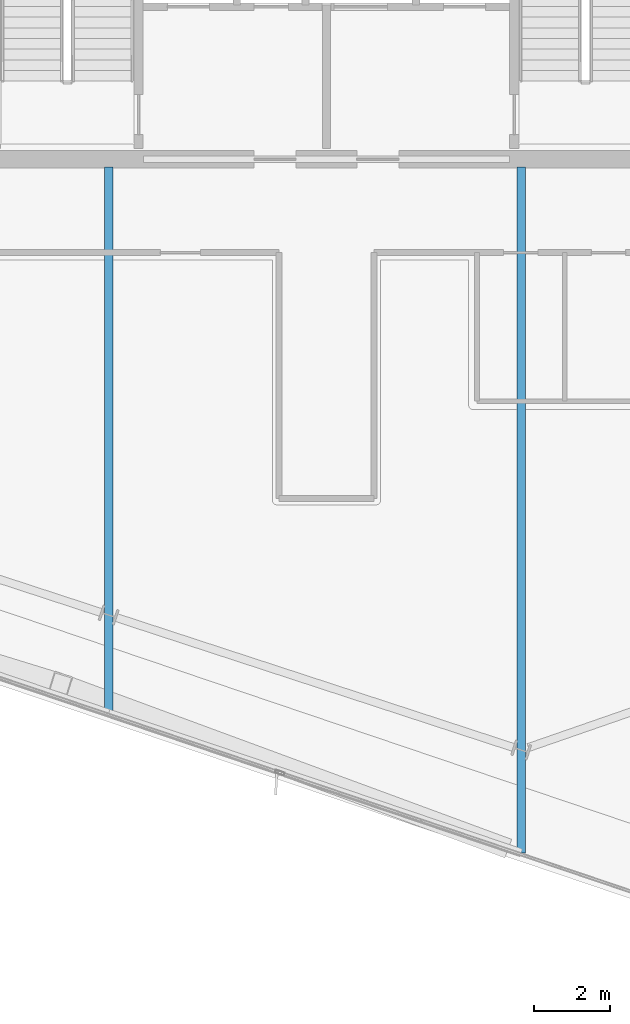
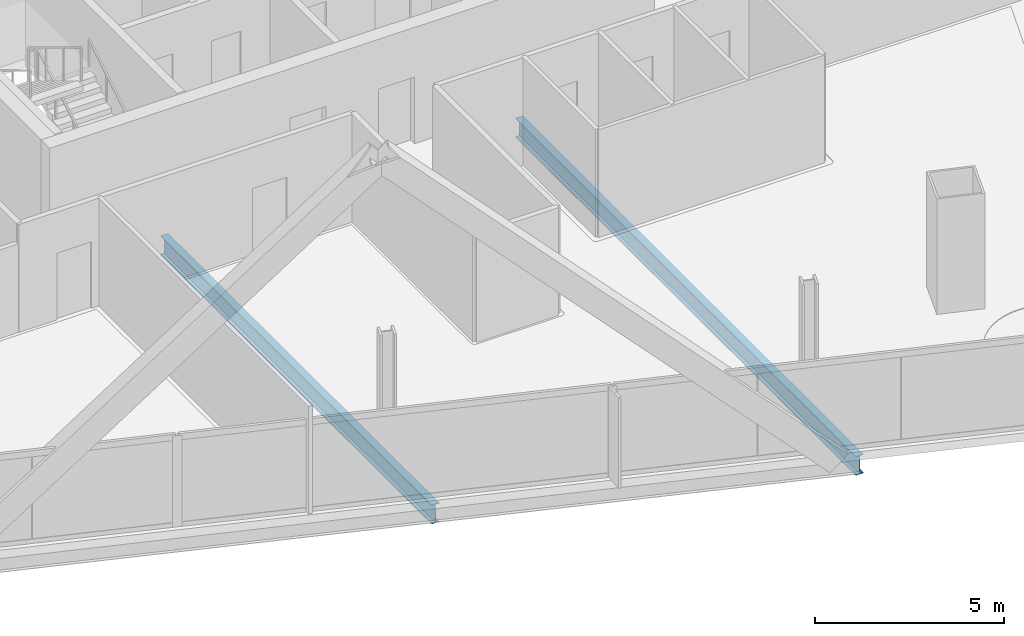
# One storey, part 4 of 29: 2 beams.
"""IFC4 building model written with IfcOpenShell, lengths in metres."""

from ifc_helpers import new_model, si_unit, direction, frame, origin, origin_2d, place, context, subcontext, project, spatial, i_section, extrude, material, material_profile, profile_set, type_object, element, save


model = new_model("IFC4")

# Units and contexts
model_context = context("Model", 3, precision=1e-05, world=origin(), true_north=direction((0.0, 1.0)))
body_context = subcontext(model_context, "Body", "Model", "MODEL_VIEW")
ifc_project = project(units=[si_unit("LENGTHUNIT", "METRE"), si_unit("AREAUNIT", "SQUARE_METRE"), si_unit("VOLUMEUNIT", "CUBIC_METRE"), si_unit("PLANEANGLEUNIT", "RADIAN"), si_unit("MASSUNIT", "GRAM", prefix="KILO")], contexts=[model_context])

# Site, building, storey
site_placement = place(None, origin())
site = spatial("IfcSite", under=ifc_project, at=site_placement, CompositionType="ELEMENT")
building_placement = place(site_placement, origin())
building = spatial("IfcBuilding", under=site, at=building_placement, Name="Haldenkirk Collegiate Tower", CompositionType="ELEMENT")
storey_placement = place(building_placement, frame((0.0, 0.0, 267.449951171875)))
storey = spatial("IfcBuildingStorey", under=building, at=storey_placement, Name="L67", CompositionType="ELEMENT", Elevation=267.449951171875)

# Beams
ifc_material = material(Name="Steel ASTM A992 Grade 50", Category="steel")
ifc_material_profile = material_profile(ifc_material, i_section(OverallWidth=0.22998046875, OverallDepth=0.616943359375, WebThickness=0.01318359375, FlangeThickness=0.022216796875, at=origin_2d()), Name="W24X94")
ifc_profile_set = profile_set([ifc_material_profile], Name="Steel ASTM A992 Grade 50")
beam_type = type_object("IfcBeamType", Name="BM-GIRDER-W24X94", PredefinedType="BEAM", material=ifc_profile_set)
beam_1_placement = place(storey_placement, frame((30.283203125, 3.463134765625, -0.578369140625), z_axis=(0.0, 1.0, 0.0), x_axis=(-1.0, 0.0, 0.0)))
element("IfcBeam", 1, at=beam_1_placement, inside=storey, type_object=beam_type, Name="L67 primary floor girder 15", PredefinedType="BEAM", context=body_context, shape_type="SweptSolid", body=[
    extrude(i_section(OverallWidth=0.22998046875, OverallDepth=0.616943359375, WebThickness=0.01318359375, FlangeThickness=0.022216796875, at=origin_2d()), origin(), (0.0, 0.0, 1.0), 14.331787109375),
])
beam_2_placement = place(storey_placement, frame((41.111083984375, -0.201904296875, -0.578369140625), z_axis=(0.0, 1.0, 0.0), x_axis=(-1.0, 0.0, 0.0)))
element("IfcBeam", 2, at=beam_2_placement, inside=storey, type_object=beam_type, Name="L67 primary floor girder 16", PredefinedType="BEAM", context=body_context, shape_type="SweptSolid", body=[
    extrude(i_section(OverallWidth=0.22998046875, OverallDepth=0.616943359375, WebThickness=0.01318359375, FlangeThickness=0.022216796875, at=origin_2d()), origin(), (0.0, 0.0, 1.0), 17.996826171875),
])

save(model, "model.ifc")
